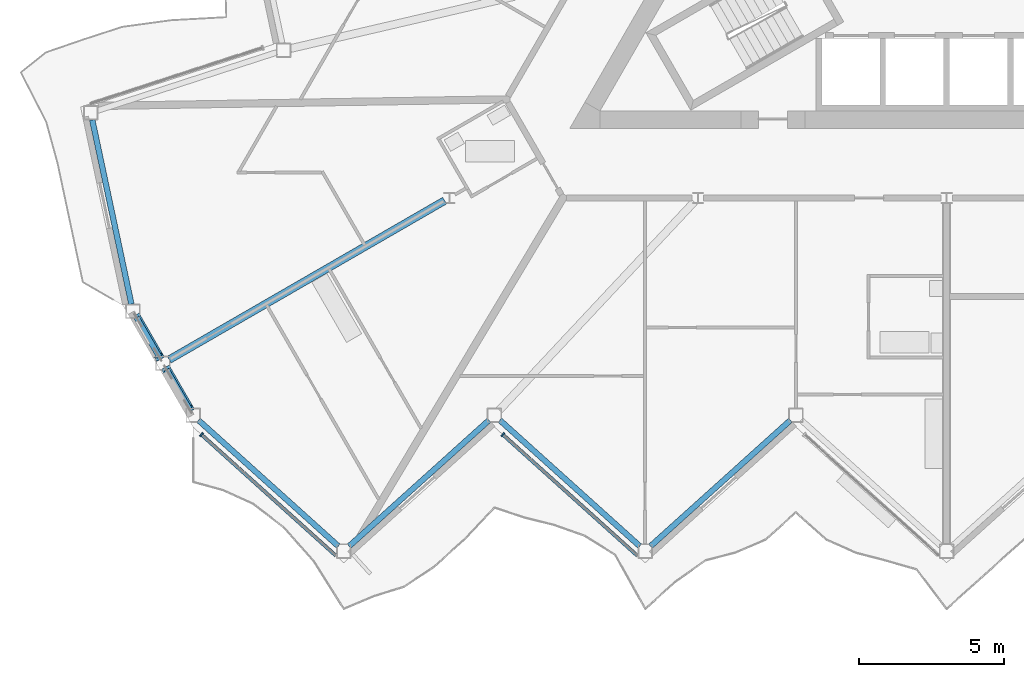
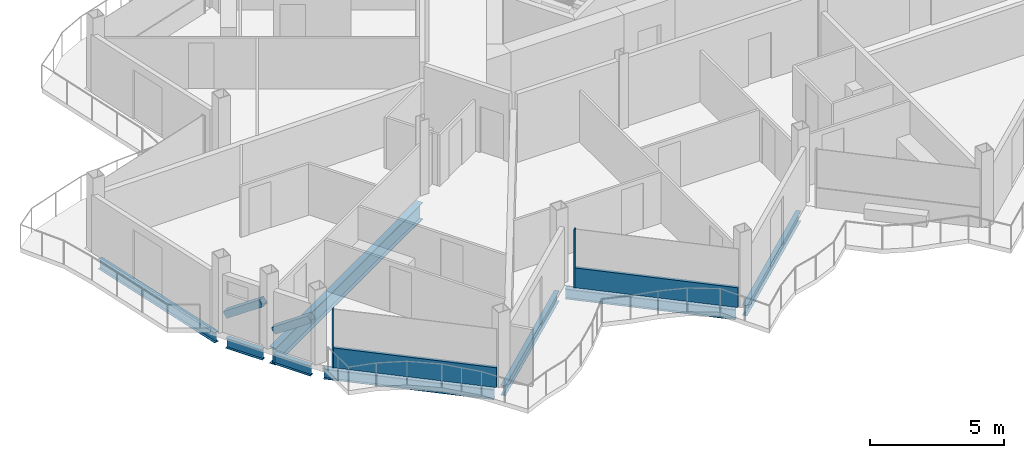
# One storey, part 4 of 26: 8 beams, 6 members, 2 elements without a shape of their own.
"""IFC4 building model written with IfcOpenShell, lengths in metres."""

from ifc_helpers import new_model, si_unit, direction, frame, origin, origin_2d, place, context, subcontext, project, spatial, rectangle, hollow_rectangle, i_section, extrude, material, layer, layer_set, material_profile, profile_set, type_object, element, aggregate, save


model = new_model("IFC4")

# Units and contexts
model_context = context("Model", 3, precision=1e-05, world=origin(), true_north=direction((0.0, 1.0)))
body_context = subcontext(model_context, "Body", "Model", "MODEL_VIEW")
ifc_project = project(units=[si_unit("LENGTHUNIT", "METRE"), si_unit("AREAUNIT", "SQUARE_METRE"), si_unit("VOLUMEUNIT", "CUBIC_METRE"), si_unit("PLANEANGLEUNIT", "RADIAN"), si_unit("MASSUNIT", "GRAM", prefix="KILO")], contexts=[model_context])

# Site, building, storey
site_placement = place(None, origin())
site = spatial("IfcSite", under=ifc_project, at=site_placement, CompositionType="ELEMENT")
building_placement = place(site_placement, origin())
building = spatial("IfcBuilding", under=site, at=building_placement, Name="Cormorant Prow Tower", CompositionType="ELEMENT")
storey_placement = place(building_placement, frame((0.0, 0.0, 381.39990234375)))
storey = spatial("IfcBuildingStorey", under=building, at=storey_placement, Name="L86", CompositionType="ELEMENT", Elevation=381.39990234375)

# Members
ifc_material_1 = material(Name="Structural steel ASTM A500 Gr C", Category="steel")
ifc_material_profile_1 = material_profile(ifc_material_1, hollow_rectangle(XDim=0.3046875, YDim=0.3046875, WallThickness=0.01171875, at=origin_2d()), Name="HSS12x12x1/2")
ifc_profile_set_1 = profile_set([ifc_material_profile_1], Name="Structural steel ASTM A500 Gr C")
member_type_1 = type_object("IfcMemberType", Name="Chamfer brace HSS12x12x1/2", PredefinedType="BRACE", material=ifc_profile_set_1)
member_1_placement = place(storey_placement, frame((-27.950439453125, -14.027587890625, 0.770751953125), z_axis=(0.411259909174, -0.712333680754, 0.568723143867), x_axis=(0.866028632512, 0.499994407638, 0.0)))
element("IfcMember", 1, at=member_1_placement, inside=storey, type_object=member_type_1, Name="Chamfer brace BR3 at WSW00 L86", PredefinedType="BRACE", context=body_context, shape_type="SweptSolid", body=[
    extrude(hollow_rectangle(XDim=0.3046875, YDim=0.3046875, WallThickness=0.01171875, at=origin_2d()), origin(), (0.0, 0.0, 1.0), 1.921142578125),
])
member_2_placement = place(storey_placement, frame((-26.91357421875, -15.823486328125, 0.770751953125), z_axis=(0.41132825952, -0.712359043209, 0.568641940485), x_axis=(0.866000359435, 0.500043375578, 0.0)))
element("IfcMember", 2, at=member_2_placement, inside=storey, type_object=member_type_1, Name="Chamfer brace BR3 at WSW01 L86", PredefinedType="BRACE", context=body_context, shape_type="SweptSolid", body=[
    extrude(hollow_rectangle(XDim=0.3046875, YDim=0.3046875, WallThickness=0.01171875, at=origin_2d()), origin(), (0.0, 0.0, 1.0), 1.92138671875),
])

# Beam
ifc_material_2 = material(Name="Structural steel ASTM A992 Gr 50", Category="steel")
ifc_material_profile_2 = material_profile(ifc_material_2, i_section(OverallWidth=0.267822265625, OverallDepth=0.77001953125, WebThickness=0.015625, FlangeThickness=0.025390625, at=origin_2d()), Name="W30x132")
ifc_profile_set_2 = profile_set([ifc_material_profile_2], Name="Structural steel ASTM A992 Gr 50")
beam_type_1 = type_object("IfcBeamType", Name="Radial floor beam W30x132", PredefinedType="BEAM", material=ifc_profile_set_2)
beam_1_placement = place(storey_placement, frame((-17.31884765625, -9.9990234375, -0.684814453125), z_axis=(-0.866018830095, -0.500011385791, 0.0), x_axis=(0.500011385791, -0.866018830095, 0.0)))
element("IfcBeam", 3, at=beam_1_placement, inside=storey, type_object=beam_type_1, Name="Radial floor beam FB3 5 L86", PredefinedType="BEAM", context=body_context, shape_type="SweptSolid", body=[
    extrude(i_section(OverallWidth=0.267822265625, OverallDepth=0.77001953125, WebThickness=0.015625, FlangeThickness=0.025390625, at=origin_2d()), origin(), (0.0, 0.0, 1.0), 10.971435546875),
])

# Curtain wall, member
ifc_material_3 = material(Name="Aluminium 6063-T6", Category="aluminium")
ifc_layer = layer(ifc_material_3, 0.159912109375)
ifc_layer_set = layer_set([ifc_layer], Name="Aluminium 6063-T6")
curtain_wall_type = type_object("IfcCurtainWallType", Name="Residential unitised curtain wall 160", PredefinedType="NOTDEFINED", material=ifc_layer_set)
curtain_wall_1_placement = place(storey_placement, origin())
curtain_wall_1 = element("IfcCurtainWall", 4, at=curtain_wall_1_placement, inside=storey, type_object=curtain_wall_type, Name="Residential curtain wall S00", PredefinedType="NOTDEFINED")
ifc_material_4 = material(Name="Aluminium 6063-T6", Category="aluminium")
ifc_material_profile_3 = material_profile(ifc_material_4, rectangle(XDim=0.159912109375, YDim=0.050048828125, at=origin_2d()), Name="Residential mullion 50x160")
ifc_profile_set_3 = profile_set([ifc_material_profile_3], Name="Aluminium 6063-T6")
member_type_2 = type_object("IfcMemberType", Name="Residential mullion 50x160", PredefinedType="MULLION", material=ifc_profile_set_3)
member_3_placement = place(storey_placement, frame((-25.70947265625, -18.0712890625, 0.0), z_axis=(0.0, 0.0, 1.0), x_axis=(0.669130603959, 0.743144827638, 0.0)))
member_3 = element("IfcMember", 5, at=member_3_placement, type_object=member_type_2, Name="Residential mullion S00", PredefinedType="MULLION", context=body_context, shape_type="SweptSolid", body=[
    extrude(rectangle(XDim=0.159912109375, YDim=0.050048828125, at=origin_2d()), origin(), (0.0, 0.0, 1.0), 2.634033203125),
])

curtain_wall_2_placement = place(storey_placement, origin())
curtain_wall_2 = element("IfcCurtainWall", 6, at=curtain_wall_2_placement, inside=storey, type_object=curtain_wall_type, Name="Residential curtain wall S02", PredefinedType="NOTDEFINED")
member_4_placement = place(storey_placement, frame((-15.309326171875, -18.0712890625, 0.0), z_axis=(0.0, 0.0, 1.0), x_axis=(0.669130603959, 0.743144827638, 0.0)))
member_4 = element("IfcMember", 7, at=member_4_placement, type_object=member_type_2, Name="Residential mullion S02", PredefinedType="MULLION", context=body_context, shape_type="SweptSolid", body=[
    extrude(rectangle(XDim=0.159912109375, YDim=0.050048828125, at=origin_2d()), origin(), (0.0, 0.0, 1.0), 2.634033203125),
])

# Member
ifc_material_5 = material(Name="Terracotta", Category="masonry")
ifc_material_profile_4 = material_profile(ifc_material_5, rectangle(XDim=0.1201171875, YDim=0.89990234375, at=origin_2d()), Name="Residential terracotta spandrel rail 120x900")
ifc_profile_set_4 = profile_set([ifc_material_profile_4], Name="Terracotta")
member_type_3 = type_object("IfcMemberType", Name="Residential terracotta spandrel rail 120x900", PredefinedType="USERDEFINED", material=ifc_profile_set_4)
member_5_placement = place(storey_placement, frame((-25.69091796875, -18.088134765625, 0.4501953125), z_axis=(0.743159360055, -0.669114463723, 0.0), x_axis=(0.669114463723, 0.743159360055, 0.0)))
member_5 = element("IfcMember", 8, at=member_5_placement, type_object=member_type_3, Name="Residential spandrel rail S00", ObjectType="TRANSOM", PredefinedType="USERDEFINED", context=body_context, shape_type="SweptSolid", body=[
    extrude(rectangle(XDim=0.1201171875, YDim=0.89990234375, at=origin_2d()), origin(), (0.0, 0.0, 1.0), 6.21533203125),
])

aggregate(curtain_wall_1, [member_3, member_5])

member_6_placement = place(storey_placement, frame((-15.290771484375, -18.088134765625, 0.4501953125), z_axis=(0.743159360055, -0.669114463723, 0.0), x_axis=(0.669114463723, 0.743159360055, 0.0)))
member_6 = element("IfcMember", 9, at=member_6_placement, type_object=member_type_3, Name="Residential spandrel rail S02", ObjectType="TRANSOM", PredefinedType="USERDEFINED", context=body_context, shape_type="SweptSolid", body=[
    extrude(rectangle(XDim=0.1201171875, YDim=0.89990234375, at=origin_2d()), origin(), (0.0, 0.0, 1.0), 6.21533203125),
])

aggregate(curtain_wall_2, [member_4, member_6])

# Beams
ifc_material_6 = material(Name="Structural steel ASTM A992 Gr 50", Category="steel")
ifc_material_profile_5 = material_profile(ifc_material_6, i_section(OverallWidth=0.19287109375, OverallDepth=0.466064453125, WebThickness=0.011474609375, FlangeThickness=0.01904296875, at=origin_2d()), Name="W18x65")
ifc_profile_set_5 = profile_set([ifc_material_profile_5], Name="Structural steel ASTM A992 Gr 50")
beam_type_2 = type_object("IfcBeamType", Name="Spandrel beam W18x65", PredefinedType="SPANDREL", material=ifc_profile_set_5)
for number, where, z_axis, x_axis, name in (
    (10, (-25.814208984375, -17.572998046875, -0.532958984375), (0.743131573737, -0.669145323614, 0.0), (0.669145323614, 0.743131573737, 0.0), "Spandrel beam SB4 S00-S01 L86"),
    (11, (-20.6142578125, -21.920654296875, -0.532958984375), (0.743131573737, 0.669145323614, 0.0), (-0.669145323614, 0.743131573737, 0.0), "Spandrel beam SB4 S01-S02 L86"),
):
    element("IfcBeam", number, at=place(storey_placement, frame(where, z_axis=z_axis, x_axis=x_axis)), inside=storey, type_object=beam_type_2, Name=name, PredefinedType="SPANDREL", context=body_context, shape_type="SweptSolid", body=[
        extrude(i_section(OverallWidth=0.19287109375, OverallDepth=0.466064453125, WebThickness=0.011474609375, FlangeThickness=0.01904296875, at=origin_2d()), origin(), (0.0, 0.0, 1.0), 6.497314453125),
    ])
beam_2_placement = place(storey_placement, frame((-15.414306640625, -17.572998046875, -0.532958984375), z_axis=(0.743148397689, -0.669126638995, 0.0), x_axis=(0.669126638995, 0.743148397689, 0.0)))
element("IfcBeam", 12, at=beam_2_placement, inside=storey, type_object=beam_type_2, Name="Spandrel beam SB4 S02-S03 L86", PredefinedType="SPANDREL", context=body_context, shape_type="SweptSolid", body=[
    extrude(i_section(OverallWidth=0.19287109375, OverallDepth=0.466064453125, WebThickness=0.011474609375, FlangeThickness=0.01904296875, at=origin_2d()), origin(), (0.0, 0.0, 1.0), 6.49755859375),
])
beam_3_placement = place(storey_placement, frame((-10.214111328125, -21.920654296875, -0.532958984375), z_axis=(0.743131573737, 0.669145323614, 0.0), x_axis=(-0.669145323614, 0.743131573737, 0.0)))
element("IfcBeam", 13, at=beam_3_placement, inside=storey, type_object=beam_type_2, Name="Spandrel beam SB4 S03-S04 L86", PredefinedType="SPANDREL", context=body_context, shape_type="SweptSolid", body=[
    extrude(i_section(OverallWidth=0.19287109375, OverallDepth=0.466064453125, WebThickness=0.011474609375, FlangeThickness=0.01904296875, at=origin_2d()), origin(), (0.0, 0.0, 1.0), 6.497314453125),
])
beam_4_placement = place(storey_placement, frame((-29.4765625, -7.2138671875, -0.532958984375), z_axis=(0.207901897373, -0.978149682344, 0.0), x_axis=(0.978149682344, 0.207901897373, 0.0)))
element("IfcBeam", 14, at=beam_4_placement, inside=storey, type_object=beam_type_2, Name="Spandrel beam SB4 WNW09-WSW00 L86", PredefinedType="SPANDREL", context=body_context, shape_type="SweptSolid", body=[
    extrude(i_section(OverallWidth=0.19287109375, OverallDepth=0.466064453125, WebThickness=0.011474609375, FlangeThickness=0.01904296875, at=origin_2d()), origin(), (0.0, 0.0, 1.0), 6.49755859375),
])
for number, where, z_axis, x_axis, name in (
    (15, (-27.94873046875, -14.0302734375, -0.532958984375), (0.499959680857, -0.866048680801, 0.0), (0.866048680801, 0.499959680857, 0.0), "Spandrel beam SB4 WSW00-WSW01 L86"),
    (16, (-26.911865234375, -15.826171875, -0.532958984375), (0.499959680857, -0.866048680801, 0.0), (0.866048680801, 0.499959680857, 0.0), "Spandrel beam SB4 WSW01-S00 L86"),
):
    element("IfcBeam", number, at=place(storey_placement, frame(where, z_axis=z_axis, x_axis=x_axis)), inside=storey, type_object=beam_type_2, Name=name, PredefinedType="SPANDREL", context=body_context, shape_type="SweptSolid", body=[
        extrude(i_section(OverallWidth=0.19287109375, OverallDepth=0.466064453125, WebThickness=0.011474609375, FlangeThickness=0.01904296875, at=origin_2d()), origin(), (0.0, 0.0, 1.0), 1.573974609375),
    ])

save(model, "model.ifc")
